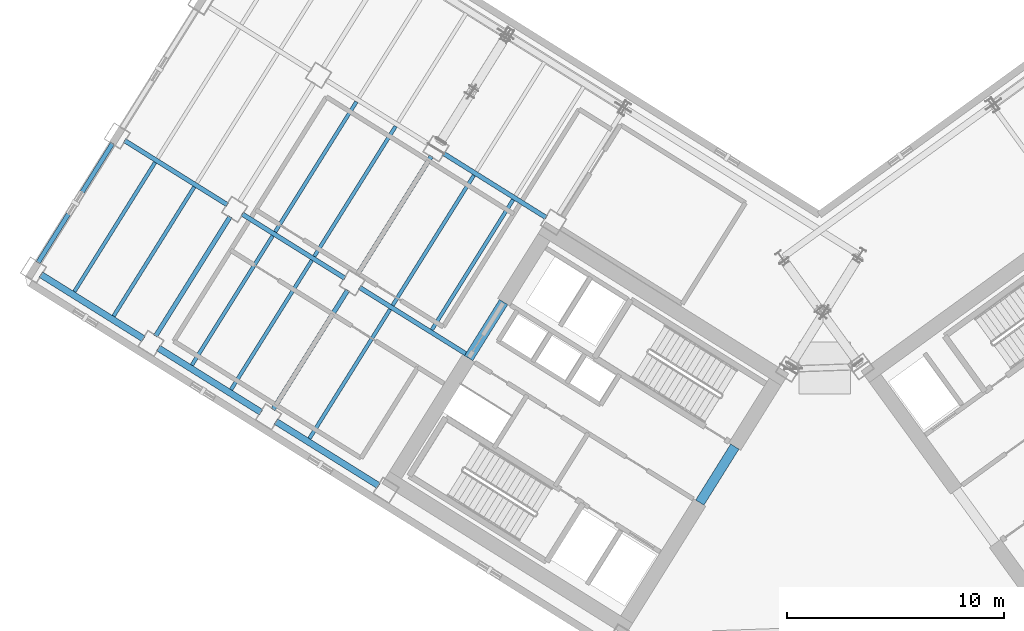
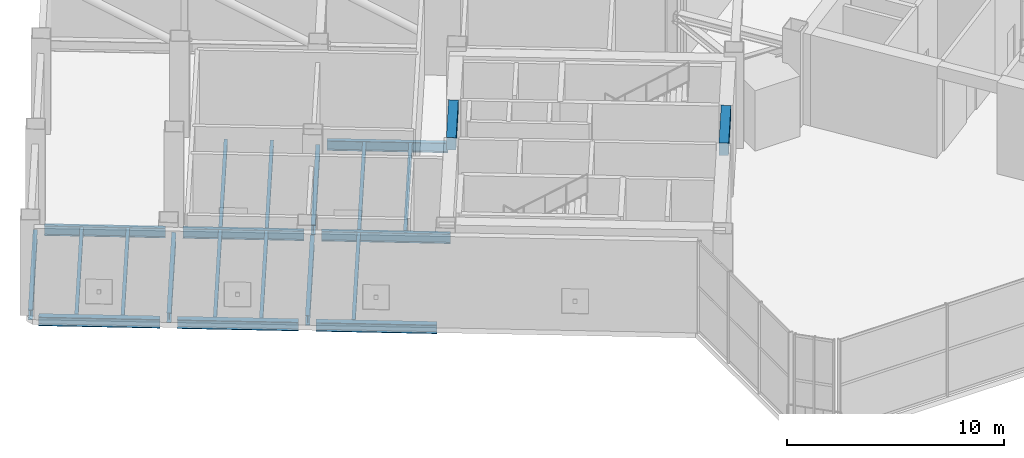
# One storey, part 5 of 21: 22 beams.
"""IFC4 building model written with IfcOpenShell, lengths in metres."""

from ifc_helpers import new_model, si_unit, direction, frame, origin, origin_2d, place, context, subcontext, project, spatial, rectangle, i_section, extrude, source, transform, mapped, material, material_profile, profile_set, type_object, element, save


model = new_model("IFC4")

# Units and contexts
model_context = context("Model", 3, precision=1e-05, world=origin(), true_north=direction((0.0, 1.0)))
body_context = subcontext(model_context, "Body", "Model", "MODEL_VIEW")
ifc_project = project(units=[si_unit("LENGTHUNIT", "METRE"), si_unit("AREAUNIT", "SQUARE_METRE"), si_unit("VOLUMEUNIT", "CUBIC_METRE"), si_unit("PLANEANGLEUNIT", "RADIAN"), si_unit("MASSUNIT", "GRAM", prefix="KILO")], contexts=[model_context])

# Site, building, storey
site_placement = place(None, origin())
site = spatial("IfcSite", under=ifc_project, at=site_placement, CompositionType="ELEMENT")
building_placement = place(site_placement, origin())
building = spatial("IfcBuilding", under=site, at=building_placement, Name="Tlacorven Tower", CompositionType="ELEMENT")
storey_placement = place(building_placement, frame((0.0, 0.0, 84.60009765625)))
storey = spatial("IfcBuildingStorey", under=building, at=storey_placement, Name="L21", CompositionType="ELEMENT", Elevation=84.60009765625)

# Beams
ifc_material_1 = material(Name="Concrete C60/75", Category="concrete")
ifc_material_profile_1 = material_profile(ifc_material_1, rectangle(XDim=0.449951171875, YDim=0.699951171875, at=origin_2d()), Name="RC 450X700")
ifc_profile_set_1 = profile_set([ifc_material_profile_1], Name="Concrete C60/75")
beam_type_1 = type_object("IfcBeamType", Name="BM-LNT-700", PredefinedType="LINTEL", material=ifc_profile_set_1)
shared_shape_1 = source(origin(), body_context, "Body", "SweptSolid", [
    extrude(rectangle(XDim=0.449951171875, YDim=0.699951171875, at=origin_2d()), origin(), (0.0, 0.0, 1.0), 3.050048828125),
])
beam_1_placement = place(storey_placement, frame((38.2998046875, 20.890625, 4.7998046875), z_axis=(-0.529984549635, -0.848007297815, 0.0), x_axis=(0.848007297815, -0.529984549635, 0.0)))
element("IfcBeam", 1, at=beam_1_placement, inside=storey, type_object=beam_type_1, Name="L21 W core coupling lintel beam E1", PredefinedType="LINTEL", context=body_context, shape_type="MappedRepresentation", body=[
    mapped(shared_shape_1, transform((0.0, 0.0, 0.0), scale=1.0)),
])
shared_shape_2 = source(origin(), body_context, "Body", "SweptSolid", [
    extrude(rectangle(XDim=0.449951171875, YDim=0.699951171875, at=origin_2d()), origin(), (0.0, 0.0, 1.0), 3.0498046875),
])
beam_2_placement = place(storey_placement, frame((27.622802734375, 27.562255859375, 4.7998046875), z_axis=(-0.529926983584, -0.848043272522, 0.0), x_axis=(0.848043272522, -0.529926983584, 0.0)))
element("IfcBeam", 2, at=beam_2_placement, inside=storey, type_object=beam_type_1, Name="L21 W core coupling lintel beam E2", PredefinedType="LINTEL", context=body_context, shape_type="MappedRepresentation", body=[
    mapped(shared_shape_2, transform((0.0, 0.0, 0.0), scale=1.0)),
])
ifc_material_2 = material(Name="Steel S355J2", Category="steel")
ifc_material_profile_2 = material_profile(ifc_material_2, i_section(OverallWidth=0.2099609375, OverallDepth=0.550048828125, WebThickness=0.010986328125, FlangeThickness=0.01708984375, at=origin_2d()), Name="IPE 550")
ifc_profile_set_2 = profile_set([ifc_material_profile_2], Name="Steel S355J2")
beam_type_2 = type_object("IfcBeamType", Name="BM-TWR-550", PredefinedType="BEAM", material=ifc_profile_set_2)
shared_shape_3 = source(origin(), body_context, "Body", "SweptSolid", [
    extrude(i_section(OverallWidth=0.2099609375, OverallDepth=0.550048828125, WebThickness=0.010986328125, FlangeThickness=0.01708984375, at=origin_2d()), origin(), (0.0, 0.0, 1.0), 5.599853515625),
])
for number, where, z_axis, x_axis, name in (
    (3, (29.588623046875, 31.46337890625, -0.55517578125), (-0.848047285686, 0.529920561254, 0.0), (-0.529920561254, -0.848047285686, 0.0), "L21 beam BM-L21-WL2-3"),
    (4, (20.292724609375, 28.6640625, -0.55517578125), (-0.848047285686, 0.529920561254, 0.0), (-0.529920561254, -0.848047285686, 0.0), "L21 beam BM-L21-WL3-4"),
):
    element("IfcBeam", number, at=place(storey_placement, frame(where, z_axis=z_axis, x_axis=x_axis)), inside=storey, type_object=beam_type_2, Name=name, PredefinedType="BEAM", context=body_context, shape_type="MappedRepresentation", body=[
        mapped(shared_shape_3, transform((0.0, 0.0, 0.0), scale=1.0)),
    ])
shared_shape_4 = source(origin(), body_context, "Body", "SweptSolid", [
    extrude(i_section(OverallWidth=0.2099609375, OverallDepth=0.550048828125, WebThickness=0.010986328125, FlangeThickness=0.01708984375, at=origin_2d()), origin(), (0.0, 0.0, 1.0), 5.960205078125),
])
beam_3_placement = place(storey_placement, frame((26.025634765625, 25.081787109375, -0.55517578125), z_axis=(-0.848042024898, 0.529928980153, 0.0), x_axis=(-0.529928980153, -0.848042024898, 0.0)))
element("IfcBeam", 5, at=beam_3_placement, inside=storey, type_object=beam_type_2, Name="L21 beam BM-L21-WL3-3", PredefinedType="BEAM", context=body_context, shape_type="MappedRepresentation", body=[
    mapped(shared_shape_4, transform((0.0, 0.0, 0.0), scale=1.0)),
])
shared_shape_5 = source(origin(), body_context, "Body", "SweptSolid", [
    extrude(i_section(OverallWidth=0.2099609375, OverallDepth=0.550048828125, WebThickness=0.010986328125, FlangeThickness=0.01708984375, at=origin_2d()), origin(), (0.0, 0.0, 1.0), 5.60009765625),
])
beam_4_placement = place(storey_placement, frame((14.865234375, 32.055419921875, -0.55517578125), z_axis=(-0.848027693204, 0.529951914384, 0.0), x_axis=(-0.529951914384, -0.848027693204, 0.0)))
element("IfcBeam", 6, at=beam_4_placement, inside=storey, type_object=beam_type_2, Name="L21 beam BM-L21-WL3-5", PredefinedType="BEAM", context=body_context, shape_type="MappedRepresentation", body=[
    mapped(shared_shape_5, transform((0.0, 0.0, 0.0), scale=1.0)),
])
ifc_material_profile_3 = material_profile(ifc_material_2, i_section(OverallWidth=0.300048828125, OverallDepth=0.489990234375, WebThickness=0.011962890625, FlangeThickness=0.02294921875, at=origin_2d()), Name="HEA 500")
ifc_profile_set_3 = profile_set([ifc_material_profile_3], Name="Steel S355J2")
beam_type_3 = type_object("IfcBeamType", Name="BM-SPN-500", PredefinedType="SPANDREL", material=ifc_profile_set_3)
shared_shape_6 = source(origin(), body_context, "Body", "SweptSolid", [
    extrude(i_section(OverallWidth=0.300048828125, OverallDepth=0.489990234375, WebThickness=0.011962890625, FlangeThickness=0.02294921875, at=origin_2d()), origin(), (0.0, 0.0, 1.0), 5.599853515625),
])
for number, where, z_axis, x_axis, name in (
    (7, (21.851806640625, 19.081787109375, -0.525146484375), (-0.848047285686, 0.529920561254, 0.0), (-0.529920561254, -0.848047285686, 0.0), "L21 beam BM-L21-WL4-3"),
    (8, (16.42431640625, 22.473388671875, -0.525146484375), (-0.848047285686, 0.529920561254, 0.0), (-0.529920561254, -0.848047285686, 0.0), "L21 beam BM-L21-WL4-4"),
    (9, (10.996826171875, 25.86474609375, -0.525146484375), (-0.848047285686, 0.529920561254, 0.0), (-0.529920561254, -0.848047285686, 0.0), "L21 beam BM-L21-WL4-5"),
):
    element("IfcBeam", number, at=place(storey_placement, frame(where, z_axis=z_axis, x_axis=x_axis)), inside=storey, type_object=beam_type_3, Name=name, PredefinedType="SPANDREL", context=body_context, shape_type="MappedRepresentation", body=[
        mapped(shared_shape_6, transform((0.0, 0.0, 0.0), scale=1.0)),
    ])
shared_shape_7 = source(origin(), body_context, "Body", "SweptSolid", [
    extrude(i_section(OverallWidth=0.2099609375, OverallDepth=0.550048828125, WebThickness=0.010986328125, FlangeThickness=0.01708984375, at=origin_2d()), origin(), (0.0, 0.0, 1.0), 6.500244140625),
])
beam_5_placement = place(storey_placement, frame((24.28857421875, 34.3037109375, -0.55517578125), z_axis=(-0.529921287515, -0.848046831866, 0.0), x_axis=(0.848046831866, -0.529921287515, 0.0)))
element("IfcBeam", 10, at=beam_5_placement, inside=storey, type_object=beam_type_2, Name="L21 beam BM-L21-WT4-2", PredefinedType="BEAM", context=body_context, shape_type="MappedRepresentation", body=[
    mapped(shared_shape_7, transform((0.0, 0.0, 0.0), scale=1.0)),
])
shared_shape_8 = source(origin(), body_context, "Body", "SweptSolid", [
    extrude(i_section(OverallWidth=0.2099609375, OverallDepth=0.550048828125, WebThickness=0.010986328125, FlangeThickness=0.01708984375, at=origin_2d()), origin(), (0.0, 0.0, 1.0), 6.5),
])
for number, where, z_axis, x_axis, name in (
    (11, (20.420166015625, 28.11279296875, -0.55517578125), (-0.529938166933, -0.848036284146, 0.0), (0.848036284146, -0.529938166933, 0.0), "L21 beam BM-L21-WT4-3"),
    (12, (14.992431640625, 31.50439453125, -0.55517578125), (-0.529894274829, -0.848063710757, 0.0), (0.848063710757, -0.529894274829, 0.0), "L21 beam BM-L21-WT5-3"),
):
    element("IfcBeam", number, at=place(storey_placement, frame(where, z_axis=z_axis, x_axis=x_axis)), inside=storey, type_object=beam_type_2, Name=name, PredefinedType="BEAM", context=body_context, shape_type="MappedRepresentation", body=[
        mapped(shared_shape_8, transform((0.0, 0.0, 0.0), scale=1.0)),
    ])
shared_shape_9 = source(origin(), body_context, "Body", "SweptSolid", [
    extrude(i_section(OverallWidth=0.2099609375, OverallDepth=0.550048828125, WebThickness=0.010986328125, FlangeThickness=0.01708984375, at=origin_2d()), origin(), (0.0, 0.0, 1.0), 6.499755859375),
])
beam_6_placement = place(storey_placement, frame((9.56494140625, 34.895751953125, -0.55517578125), z_axis=(-0.529911154058, -0.848053163902, 0.0), x_axis=(0.848053163902, -0.529911154058, 0.0)))
element("IfcBeam", 13, at=beam_6_placement, inside=storey, type_object=beam_type_2, Name="L21 beam BM-L21-WT6-3", PredefinedType="BEAM", context=body_context, shape_type="MappedRepresentation", body=[
    mapped(shared_shape_9, transform((0.0, 0.0, 0.0), scale=1.0)),
])
ifc_material_profile_4 = material_profile(ifc_material_2, i_section(OverallWidth=0.169921875, OverallDepth=0.360107421875, WebThickness=0.008056640625, FlangeThickness=0.0126953125, at=origin_2d()), Name="IPE 360")
ifc_profile_set_4 = profile_set([ifc_material_profile_4], Name="Steel S355J2")
beam_type_4 = type_object("IfcBeamType", Name="BM-JST-360", PredefinedType="JOIST", material=ifc_profile_set_4)
shared_shape_10 = source(origin(), body_context, "Body", "SweptSolid", [
    extrude(i_section(OverallWidth=0.169921875, OverallDepth=0.360107421875, WebThickness=0.008056640625, FlangeThickness=0.0126953125, at=origin_2d()), origin(), (0.0, 0.0, 1.0), 7.080078125),
])
for number, where, z_axis, x_axis, name in (
    (14, (28.060546875, 32.28857421875, -0.460205078125), (-0.529933847046, -0.848038983629, 0.0), (0.848038983629, -0.529933847046, 0.0), "L21 beam BM-L21-WJ3-2-1"),
    (15, (26.251220703125, 33.419189453125, -0.460205078125), (-0.529893550998, -0.848064163027, 0.0), (0.848064163027, -0.529893550998, 0.0), "L21 beam BM-L21-WJ3-2-2"),
    (16, (22.633056640625, 35.679931640625, -0.460205078125), (-0.529933847046, -0.848038983629, 0.0), (0.848038983629, -0.529933847046, 0.0), "L21 beam BM-L21-WJ4-2-1"),
):
    element("IfcBeam", number, at=place(storey_placement, frame(where, z_axis=z_axis, x_axis=x_axis)), inside=storey, type_object=beam_type_4, Name=name, PredefinedType="JOIST", context=body_context, shape_type="MappedRepresentation", body=[
        mapped(shared_shape_10, transform((0.0, 0.0, 0.0), scale=1.0)),
    ])
shared_shape_11 = source(origin(), body_context, "Body", "SweptSolid", [
    extrude(i_section(OverallWidth=0.169921875, OverallDepth=0.360107421875, WebThickness=0.008056640625, FlangeThickness=0.0126953125, at=origin_2d()), origin(), (0.0, 0.0, 1.0), 7.03515625),
])
for number, where, z_axis, x_axis, name in (
    (17, (22.3828125, 27.228271484375, -0.460205078125), (-0.529920952588, -0.848047041153, 0.0), (0.848047041153, -0.529920952588, 0.0), "L21 beam BM-L21-WJ3-3-2"),
    (18, (18.7646484375, 29.4892578125, -0.460205078125), (-0.529920952588, -0.848047041153, 0.0), (0.848047041153, -0.529920952588, 0.0), "L21 beam BM-L21-WJ4-3-1"),
    (19, (16.955322265625, 30.619873046875, -0.460205078125), (-0.529920952588, -0.848047041153, 0.0), (0.848047041153, -0.529920952588, 0.0), "L21 beam BM-L21-WJ4-3-2"),
    (20, (13.337158203125, 32.880859375, -0.460205078125), (-0.529920952588, -0.848047041153, 0.0), (0.848047041153, -0.529920952588, 0.0), "L21 beam BM-L21-WJ5-3-1"),
    (21, (11.52783203125, 34.01123046875, -0.460205078125), (-0.529920952588, -0.848047041153, 0.0), (0.848047041153, -0.529920952588, 0.0), "L21 beam BM-L21-WJ5-3-2"),
):
    element("IfcBeam", number, at=place(storey_placement, frame(where, z_axis=z_axis, x_axis=x_axis)), inside=storey, type_object=beam_type_4, Name=name, PredefinedType="JOIST", context=body_context, shape_type="MappedRepresentation", body=[
        mapped(shared_shape_11, transform((0.0, 0.0, 0.0), scale=1.0)),
    ])
shared_shape_12 = source(origin(), body_context, "Body", "SweptSolid", [
    extrude(i_section(OverallWidth=0.169921875, OverallDepth=0.360107421875, WebThickness=0.008056640625, FlangeThickness=0.0126953125, at=origin_2d()), origin(), (0.0, 0.0, 1.0), 7.079833984375),
])
beam_7_placement = place(storey_placement, frame((20.82373046875, 36.810546875, -0.460205078125), z_axis=(-0.529909047265, -0.848054480341, 0.0), x_axis=(0.848054480341, -0.529909047265, 0.0)))
element("IfcBeam", 22, at=beam_7_placement, inside=storey, type_object=beam_type_4, Name="L21 beam BM-L21-WJ4-2-2", PredefinedType="JOIST", context=body_context, shape_type="MappedRepresentation", body=[
    mapped(shared_shape_12, transform((0.0, 0.0, 0.0), scale=1.0)),
])

save(model, "model.ifc")
